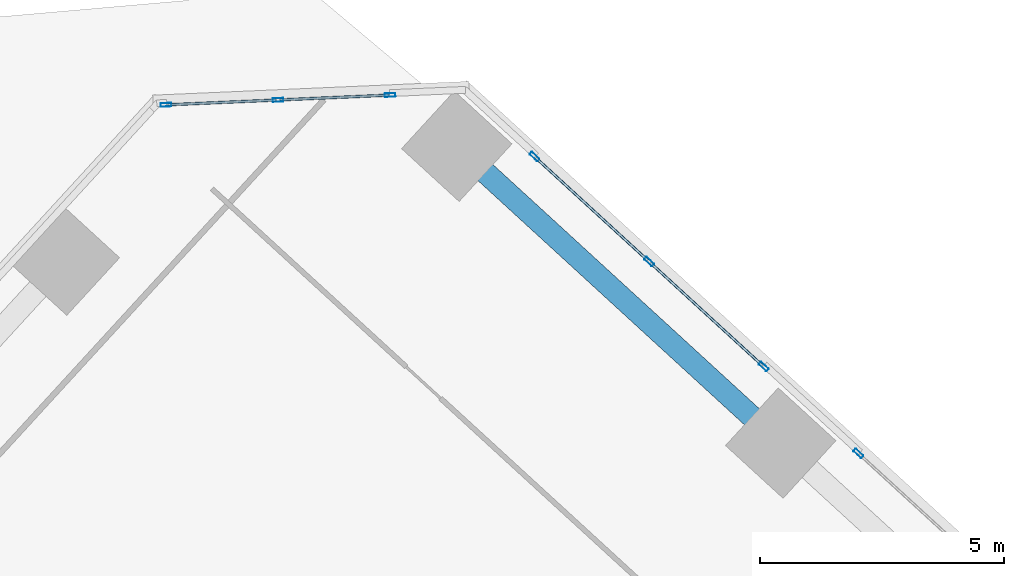
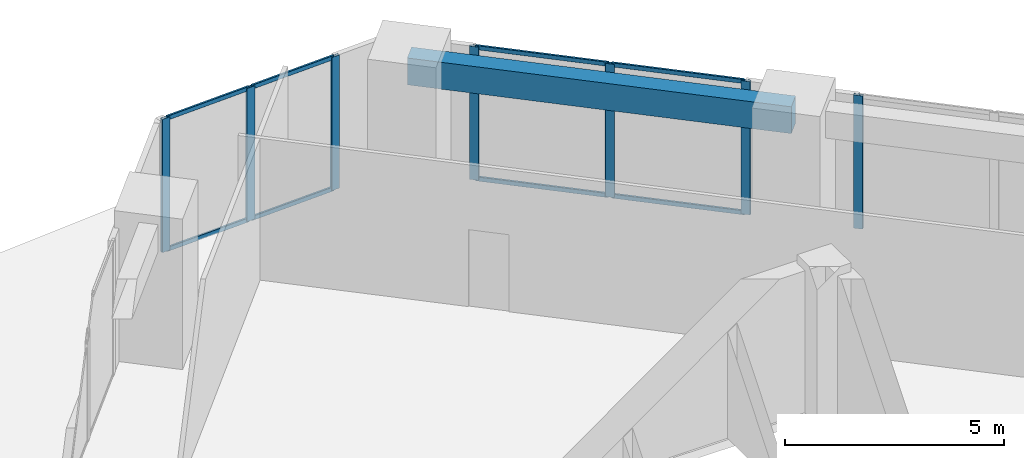
# One storey, part 11 of 19: 15 members, 1 beam, 3 elements without a shape of their own.
"""IFC4 building model written with IfcOpenShell, lengths in metres."""

from ifc_helpers import new_model, si_unit, direction, frame, origin, origin_2d, place, context, subcontext, project, spatial, rectangle, hollow_rectangle, extrude, source, transform, mapped, material, material_profile, profile_set, type_object, element, aggregate, save


model = new_model("IFC4")

# Units and contexts
model_context = context("Model", 3, precision=1e-05, world=origin(), true_north=direction((0.0, 1.0)))
body_context = subcontext(model_context, "Body", "Model", "MODEL_VIEW")
ifc_project = project(units=[si_unit("LENGTHUNIT", "METRE"), si_unit("AREAUNIT", "SQUARE_METRE"), si_unit("VOLUMEUNIT", "CUBIC_METRE"), si_unit("PLANEANGLEUNIT", "RADIAN"), si_unit("MASSUNIT", "GRAM", prefix="KILO")], contexts=[model_context])

# Site, building, storey
site_placement = place(None, origin())
site = spatial("IfcSite", under=ifc_project, at=site_placement, CompositionType="ELEMENT")
building_placement = place(site_placement, origin())
building = spatial("IfcBuilding", under=site, at=building_placement, Name="Torre Montelarca", CompositionType="ELEMENT")
storey_placement = place(building_placement, frame((0.0, 0.0, 229.0)))
storey = spatial("IfcBuildingStorey", under=building, at=storey_placement, Name="L51", CompositionType="ELEMENT", Elevation=229.0)

# Beam
ifc_material_1 = material(Name="Concrete C55/67", Category="concrete")
ifc_material_profile_1 = material_profile(ifc_material_1, rectangle(XDim=0.449951171875, YDim=0.75, at=origin_2d()), Name="RCB450X750", Category="concrete")
ifc_profile_set_1 = profile_set([ifc_material_profile_1], Name="Concrete C55/67")
beam_type = type_object("IfcBeamType", Name="BM-SP-RC750-EXT", PredefinedType="SPANDREL", material=ifc_profile_set_1)
shared_shape_1 = source(origin(), body_context, "Body", "SweptSolid", [
    extrude(rectangle(XDim=0.449951171875, YDim=0.75, at=origin_2d()), origin(), (0.0, 0.0, 1.0), 9.0),
])
beam_placement = place(storey_placement, frame((22.519287109375, 51.614501953125, 3.5849609375), z_axis=(0.73727686361, -0.675590724023, 0.0), x_axis=(0.675590724023, 0.73727686361, 0.0)))
element("IfcBeam", 1, at=beam_placement, inside=storey, type_object=beam_type, Name="L51 Grid Girder X 9.0-18.0 at Y=47.1", PredefinedType="SPANDREL", context=body_context, shape_type="MappedRepresentation", body=[
    mapped(shared_shape_1, transform((0.0, 0.0, 0.0), scale=1.0)),
])

# Curtain wall, member
ifc_material_2 = material(Name="Insulated low-E laminated glass", Category="glass")
curtain_wall_type = type_object("IfcCurtainWallType", Name="CW-SYS-Z3", PredefinedType="USERDEFINED", material=ifc_material_2)
curtain_wall_1_placement = place(storey_placement, origin())
curtain_wall_1 = element("IfcCurtainWall", 2, at=curtain_wall_1_placement, inside=storey, type_object=curtain_wall_type, Name="L51 Curtain Wall Run CW-T3-L51-E08-B3", ObjectType="UNITISED GLAZING", PredefinedType="USERDEFINED")
ifc_material_3 = material(Name="Anodised aluminium AA 6063-T6", Category="aluminium")
ifc_material_profile_2 = material_profile(ifc_material_3, hollow_rectangle(XDim=0.074951171875, YDim=0.219970703125, WallThickness=0.0048828125, InnerFilletRadius=0.0048828125, OuterFilletRadius=0.010009765625, at=origin_2d()), Name="ALU75X220X5", Category="aluminium")
ifc_profile_set_2 = profile_set([ifc_material_profile_2], Name="Anodised aluminium AA 6063-T6")
member_type_1 = type_object("IfcMemberType", Name="CWM-ALU220", PredefinedType="MULLION", material=ifc_profile_set_2)
shared_shape_2 = source(origin(), body_context, "Body", "SweptSolid", [
    extrude(hollow_rectangle(XDim=0.074951171875, YDim=0.219970703125, WallThickness=0.0048828125, InnerFilletRadius=0.0048828125, OuterFilletRadius=0.010009765625, at=origin_2d()), origin(), (0.0, 0.0, 1.0), 3.719970703125),
])
member_1_placement = place(storey_placement, frame((30.74755859375, 45.322509765625, 0.0), z_axis=(0.0, 0.0, 1.0), x_axis=(-0.675595237064, -0.737272728138, 0.0)))
member_1 = element("IfcMember", 3, at=member_1_placement, type_object=member_type_1, Name="CW mullion 3", PredefinedType="MULLION", context=body_context, shape_type="MappedRepresentation", body=[
    mapped(shared_shape_2, transform((0.0, 0.0, 0.0), scale=1.0)),
])
aggregate(curtain_wall_1, [member_1])

# Curtain wall, members
curtain_wall_2_placement = place(storey_placement, origin())
curtain_wall_2 = element("IfcCurtainWall", 4, at=curtain_wall_2_placement, inside=storey, type_object=curtain_wall_type, Name="L51 Curtain Wall Run CW-T3-L51-E08-B4", ObjectType="UNITISED GLAZING", PredefinedType="USERDEFINED")
member_2_placement = place(storey_placement, frame((28.804931640625, 47.102783203125, 0.0), z_axis=(0.0, 0.0, 1.0), x_axis=(-0.675587502621, -0.737279815472, 0.0)))
member_2 = element("IfcMember", 5, at=member_2_placement, type_object=member_type_1, Name="CW mullion 1", PredefinedType="MULLION", context=body_context, shape_type="MappedRepresentation", body=[
    mapped(shared_shape_2, transform((0.0, 0.0, 0.0), scale=1.0)),
])
member_3_placement = place(storey_placement, frame((26.45849609375, 49.252685546875, 0.0), z_axis=(0.0, 0.0, 1.0), x_axis=(-0.675587502621, -0.737279815472, 0.0)))
member_3 = element("IfcMember", 6, at=member_3_placement, type_object=member_type_1, Name="CW mullion 2", PredefinedType="MULLION", context=body_context, shape_type="MappedRepresentation", body=[
    mapped(shared_shape_2, transform((0.0, 0.0, 0.0), scale=1.0)),
])
member_4_placement = place(storey_placement, frame((24.112060546875, 51.40283203125, 0.0), z_axis=(0.0, 0.0, 1.0), x_axis=(-0.675587502621, -0.737279815472, 0.0)))
member_4 = element("IfcMember", 7, at=member_4_placement, type_object=member_type_1, Name="CW mullion 3", PredefinedType="MULLION", context=body_context, shape_type="MappedRepresentation", body=[
    mapped(shared_shape_2, transform((0.0, 0.0, 0.0), scale=1.0)),
])

curtain_wall_3_placement = place(storey_placement, origin())
curtain_wall_3 = element("IfcCurtainWall", 8, at=curtain_wall_3_placement, inside=storey, type_object=curtain_wall_type, Name="L51 Curtain Wall Run CW-T3-L51-E09-B1", ObjectType="UNITISED GLAZING", PredefinedType="USERDEFINED")
member_5_placement = place(storey_placement, frame((21.154541015625, 52.66357421875, 0.0), z_axis=(0.0, 0.0, 1.0), x_axis=(0.043613761542, -0.999048467195, 0.0)))
member_5 = element("IfcMember", 9, at=member_5_placement, type_object=member_type_1, Name="CW mullion 1", PredefinedType="MULLION", context=body_context, shape_type="MappedRepresentation", body=[
    mapped(shared_shape_2, transform((0.0, 0.0, 0.0), scale=1.0)),
])
member_6_placement = place(storey_placement, frame((18.859130859375, 52.563232421875, 0.0), z_axis=(0.0, 0.0, 1.0), x_axis=(0.043613761542, -0.999048467195, 0.0)))
member_6 = element("IfcMember", 10, at=member_6_placement, type_object=member_type_1, Name="CW mullion 2", PredefinedType="MULLION", context=body_context, shape_type="MappedRepresentation", body=[
    mapped(shared_shape_2, transform((0.0, 0.0, 0.0), scale=1.0)),
])
member_7_placement = place(storey_placement, frame((16.5634765625, 52.463134765625, 0.0), z_axis=(0.0, 0.0, 1.0), x_axis=(0.043613761542, -0.999048467195, 0.0)))
member_7 = element("IfcMember", 11, at=member_7_placement, type_object=member_type_1, Name="CW mullion 3", PredefinedType="MULLION", context=body_context, shape_type="MappedRepresentation", body=[
    mapped(shared_shape_2, transform((0.0, 0.0, 0.0), scale=1.0)),
])

# Member
ifc_material_profile_3 = material_profile(ifc_material_3, hollow_rectangle(XDim=0.054931640625, YDim=0.1201171875, WallThickness=0.00341796875, InnerFilletRadius=0.00341796875, OuterFilletRadius=0.007080078125, at=origin_2d()), Name="ALU55X120X3.5", Category="aluminium")
ifc_profile_set_3 = profile_set([ifc_material_profile_3], Name="Anodised aluminium AA 6063-T6")
member_type_2 = type_object("IfcMemberType", Name="CWT-ALU120", PredefinedType="USERDEFINED", material=ifc_profile_set_3)
shared_shape_3 = source(origin(), body_context, "Body", "SweptSolid", [
    extrude(hollow_rectangle(XDim=0.054931640625, YDim=0.1201171875, WallThickness=0.00341796875, InnerFilletRadius=0.00341796875, OuterFilletRadius=0.007080078125, at=origin_2d()), origin(), (0.0, 0.0, 1.0), 3.107421875),
])
member_8_placement = place(storey_placement, frame((26.430908203125, 49.278076171875, 0.027587890625), z_axis=(-0.737271534665, 0.675596539491, 0.0), x_axis=(-0.675596539491, -0.737271534665, 0.0)))
member_8 = element("IfcMember", 12, at=member_8_placement, type_object=member_type_2, Name="CW transom 2.1", ObjectType="TRANSOM", PredefinedType="USERDEFINED", context=body_context, shape_type="MappedRepresentation", body=[
    mapped(shared_shape_3, transform((0.0, 0.0, 0.0), scale=1.0)),
])

member_9_placement = place(storey_placement, frame((26.430908203125, 49.278076171875, 3.6923828125), z_axis=(-0.737271534665, 0.675596539491, 0.0), x_axis=(-0.675596539491, -0.737271534665, 0.0)))
member_9 = element("IfcMember", 13, at=member_9_placement, type_object=member_type_2, Name="CW transom 2.2", ObjectType="TRANSOM", PredefinedType="USERDEFINED", context=body_context, shape_type="MappedRepresentation", body=[
    mapped(shared_shape_3, transform((0.0, 0.0, 0.0), scale=1.0)),
])

shared_shape_4 = source(origin(), body_context, "Body", "SweptSolid", [
    extrude(hollow_rectangle(XDim=0.054931640625, YDim=0.1201171875, WallThickness=0.00341796875, InnerFilletRadius=0.00341796875, OuterFilletRadius=0.007080078125, at=origin_2d()), origin(), (0.0, 0.0, 1.0), 3.107666015625),
])
member_10_placement = place(storey_placement, frame((28.77734375, 47.128173828125, 0.027587890625), z_axis=(-0.737307391881, 0.675557406796, 0.0), x_axis=(-0.675557406796, -0.737307391881, 0.0)))
member_10 = element("IfcMember", 14, at=member_10_placement, type_object=member_type_2, Name="CW transom 1.1", ObjectType="TRANSOM", PredefinedType="USERDEFINED", context=body_context, shape_type="MappedRepresentation", body=[
    mapped(shared_shape_4, transform((0.0, 0.0, 0.0), scale=1.0)),
])

member_11_placement = place(storey_placement, frame((28.77734375, 47.128173828125, 3.6923828125), z_axis=(-0.737307391881, 0.675557406796, 0.0), x_axis=(-0.675557406796, -0.737307391881, 0.0)))
member_11 = element("IfcMember", 15, at=member_11_placement, type_object=member_type_2, Name="CW transom 1.2", ObjectType="TRANSOM", PredefinedType="USERDEFINED", context=body_context, shape_type="MappedRepresentation", body=[
    mapped(shared_shape_4, transform((0.0, 0.0, 0.0), scale=1.0)),
])

aggregate(curtain_wall_2, [member_2, member_3, member_4, member_10, member_11, member_8, member_9])

shared_shape_5 = source(origin(), body_context, "Body", "SweptSolid", [
    extrude(hollow_rectangle(XDim=0.054931640625, YDim=0.1201171875, WallThickness=0.00341796875, InnerFilletRadius=0.00341796875, OuterFilletRadius=0.007080078125, at=origin_2d()), origin(), (0.0, 0.0, 1.0), 2.222900390625),
])
member_12_placement = place(storey_placement, frame((21.1171875, 52.661865234375, 0.027587890625), z_axis=(-0.999048891247, -0.043604046815, 0.0), x_axis=(0.043604046815, -0.999048891247, 0.0)))
member_12 = element("IfcMember", 16, at=member_12_placement, type_object=member_type_2, Name="CW transom 1.1", ObjectType="TRANSOM", PredefinedType="USERDEFINED", context=body_context, shape_type="MappedRepresentation", body=[
    mapped(shared_shape_5, transform((0.0, 0.0, 0.0), scale=1.0)),
])

member_13_placement = place(storey_placement, frame((21.1171875, 52.661865234375, 3.6923828125), z_axis=(-0.999048891247, -0.043604046815, 0.0), x_axis=(0.043604046815, -0.999048891247, 0.0)))
member_13 = element("IfcMember", 17, at=member_13_placement, type_object=member_type_2, Name="CW transom 1.2", ObjectType="TRANSOM", PredefinedType="USERDEFINED", context=body_context, shape_type="MappedRepresentation", body=[
    mapped(shared_shape_5, transform((0.0, 0.0, 0.0), scale=1.0)),
])

member_14_placement = place(storey_placement, frame((18.821533203125, 52.561767578125, 0.027587890625), z_axis=(-0.999048891247, -0.043604046815, 0.0), x_axis=(0.043604046815, -0.999048891247, 0.0)))
member_14 = element("IfcMember", 18, at=member_14_placement, type_object=member_type_2, Name="CW transom 2.1", ObjectType="TRANSOM", PredefinedType="USERDEFINED", context=body_context, shape_type="MappedRepresentation", body=[
    mapped(shared_shape_5, transform((0.0, 0.0, 0.0), scale=1.0)),
])

member_15_placement = place(storey_placement, frame((18.821533203125, 52.561767578125, 3.6923828125), z_axis=(-0.999048891247, -0.043604046815, 0.0), x_axis=(0.043604046815, -0.999048891247, 0.0)))
member_15 = element("IfcMember", 19, at=member_15_placement, type_object=member_type_2, Name="CW transom 2.2", ObjectType="TRANSOM", PredefinedType="USERDEFINED", context=body_context, shape_type="MappedRepresentation", body=[
    mapped(shared_shape_5, transform((0.0, 0.0, 0.0), scale=1.0)),
])

aggregate(curtain_wall_3, [member_5, member_6, member_7, member_12, member_13, member_14, member_15])

save(model, "model.ifc")
